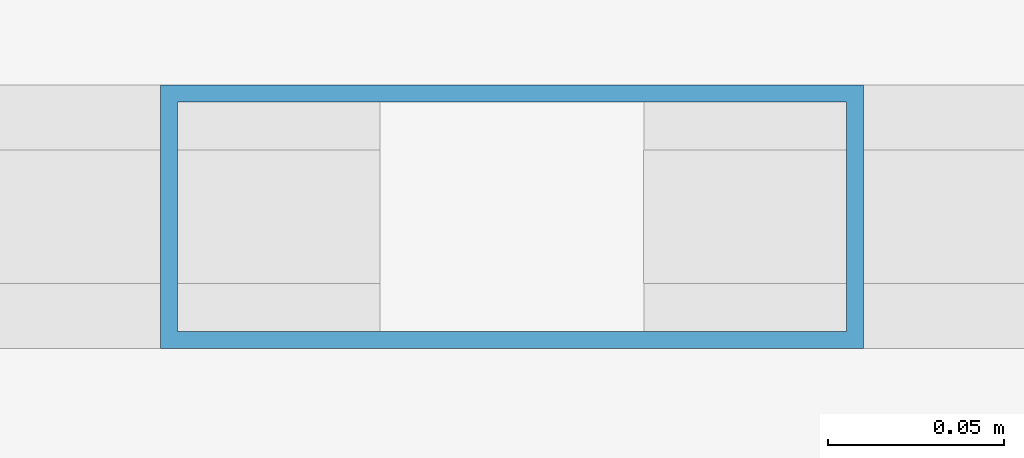
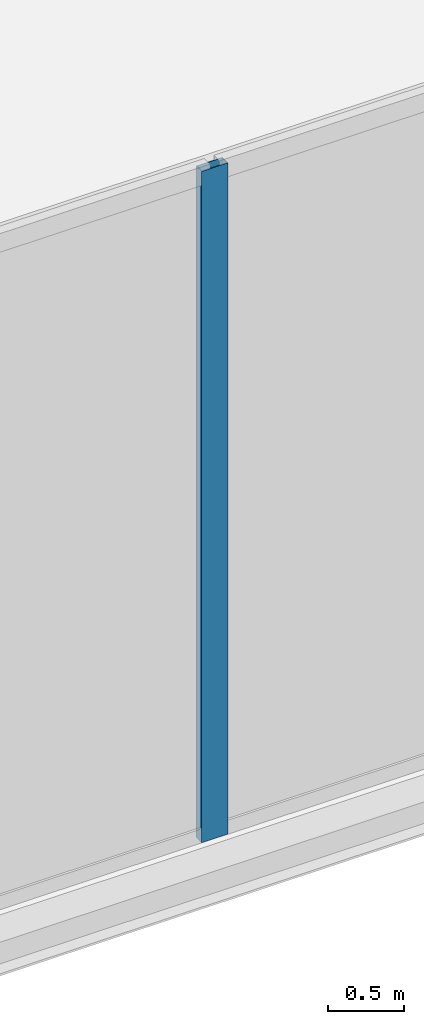
# One storey, part 8 of 26: 1 member, 1 element without a shape of its own.
"""IFC4 building model written with IfcOpenShell, lengths in metres."""

from ifc_helpers import new_model, si_unit, direction, frame, origin, origin_2d, place, context, subcontext, project, spatial, hollow_rectangle, extrude, material, material_profile, profile_set, type_object, element, aggregate, save


model = new_model("IFC4")

# Units and contexts
model_context = context("Model", 3, precision=1e-05, world=origin(), true_north=direction((0.0, 1.0)))
body_context = subcontext(model_context, "Body", "Model", "MODEL_VIEW")
ifc_project = project(units=[si_unit("LENGTHUNIT", "METRE"), si_unit("AREAUNIT", "SQUARE_METRE"), si_unit("VOLUMEUNIT", "CUBIC_METRE"), si_unit("PLANEANGLEUNIT", "RADIAN"), si_unit("MASSUNIT", "GRAM", prefix="KILO")], contexts=[model_context])

# Site, building, storey
site_placement = place(None, origin())
site = spatial("IfcSite", under=ifc_project, at=site_placement, CompositionType="ELEMENT")
building_placement = place(site_placement, origin())
building = spatial("IfcBuilding", under=site, at=building_placement, Name="Khoronbel Lancet Exchange", CompositionType="ELEMENT")
storey_placement = place(building_placement, frame((0.0, 0.0, 350.60009765625)))
storey = spatial("IfcBuildingStorey", under=building, at=storey_placement, Name="L91", CompositionType="ELEMENT", Elevation=350.60009765625)

# Curtain wall, member
ifc_material_1 = material(Name="Low-E Solar Control Insulating Glass", Category="glass")
curtain_wall_type = type_object("IfcCurtainWallType", Name="CW-6", PredefinedType="NOTDEFINED", material=ifc_material_1)
curtain_wall_placement = place(storey_placement, origin())
curtain_wall = element("IfcCurtainWall", 1, at=curtain_wall_placement, inside=storey, type_object=curtain_wall_type, Name="Unitised curtain wall CW-L91-SC-TMD", PredefinedType="NOTDEFINED")
ifc_material_2 = material(Name="Bronze-Anodised Aluminium 6063-T6", Category="aluminium")
ifc_material_profile = material_profile(ifc_material_2, hollow_rectangle(XDim=0.074951171875, YDim=0.199951171875, WallThickness=0.0048828125, at=origin_2d()), Name="ALU MULLION 75x200")
ifc_profile_set = profile_set([ifc_material_profile], Name="Bronze-Anodised Aluminium 6063-T6")
member_type = type_object("IfcMemberType", Name="MEM-CWM2", PredefinedType="MULLION", material=ifc_profile_set)
member_placement = place(storey_placement, frame((40.25, 9.7900390625, 0.0), z_axis=(0.0, 0.0, 1.0), x_axis=(0.0, 1.0, 0.0)))
member = element("IfcMember", 2, at=member_placement, type_object=member_type, Name="CW6 mullion 3", PredefinedType="MULLION", context=body_context, shape_type="SweptSolid", body=[
    extrude(hollow_rectangle(XDim=0.074951171875, YDim=0.199951171875, WallThickness=0.0048828125, at=origin_2d()), origin(), (0.0, 0.0, 1.0), 5.39990234375),
])
aggregate(curtain_wall, [member])

save(model, "model.ifc")
